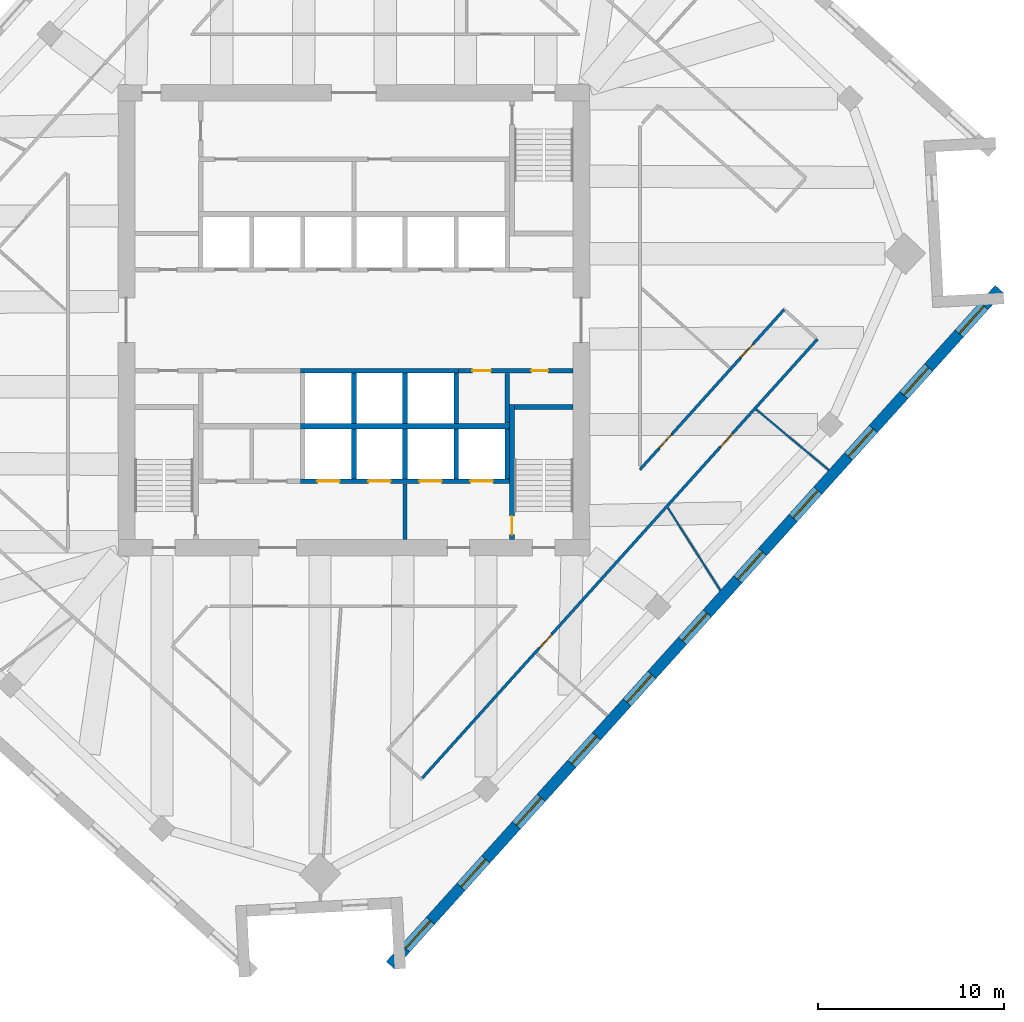
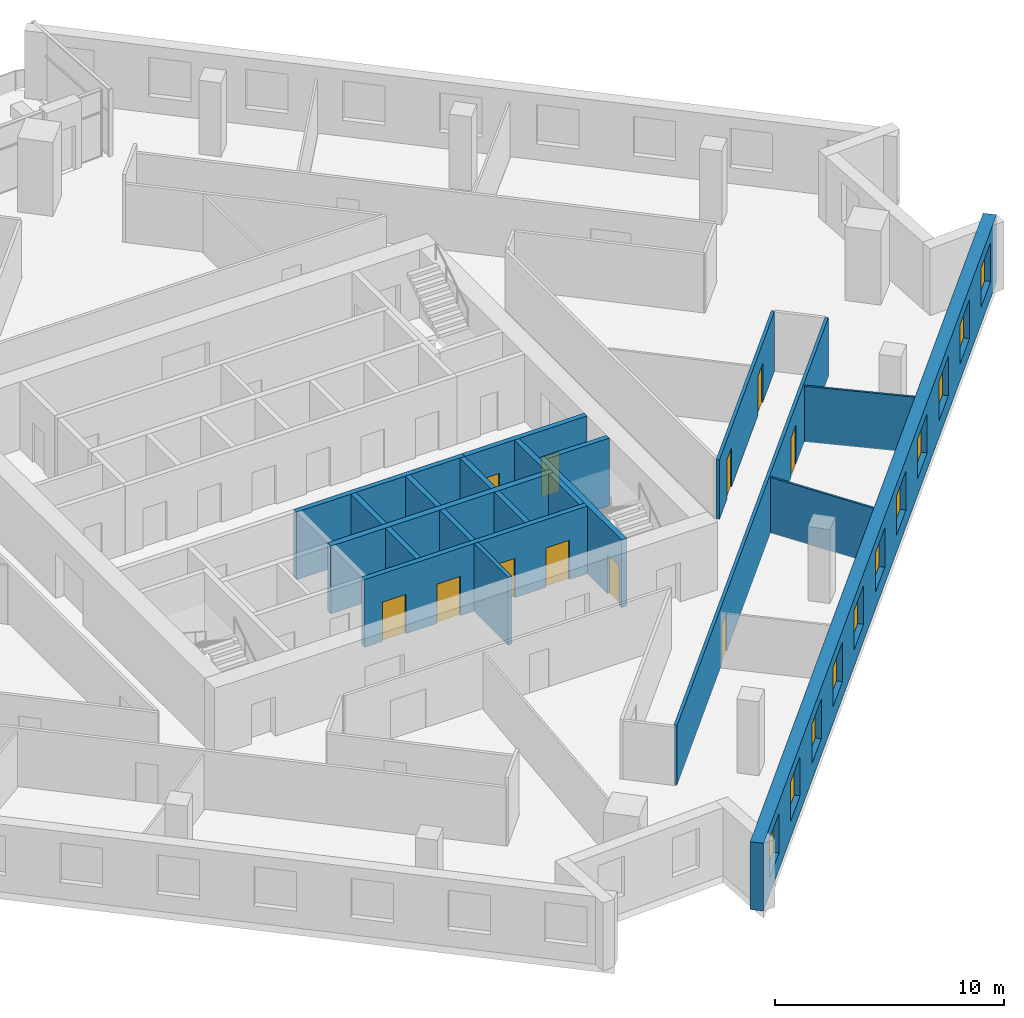
# One storey, part 7 of 12: 20 walls, 11 doors, 11 windows, 22 openings.
"""IFC4 building model written with IfcOpenShell, lengths in metres."""

from ifc_helpers import new_model, si_unit, direction, frame, frame_2d, origin, place, context, subcontext, project, spatial, rectangle, extrude, material, layer, layer_set, type_object, element, fill, save


model = new_model("IFC4")

# Units and contexts
model_context = context("Model", 3, precision=1e-05, world=origin(), true_north=direction((0.0, 1.0)))
body_context = subcontext(model_context, "Body", "Model", "MODEL_VIEW")
ifc_project = project(units=[si_unit("LENGTHUNIT", "METRE"), si_unit("AREAUNIT", "SQUARE_METRE"), si_unit("VOLUMEUNIT", "CUBIC_METRE"), si_unit("PLANEANGLEUNIT", "RADIAN"), si_unit("MASSUNIT", "GRAM", prefix="KILO")], contexts=[model_context])

# Site, building, storey
site_placement = place(None, origin())
site = spatial("IfcSite", under=ifc_project, at=site_placement, CompositionType="ELEMENT")
building_placement = place(site_placement, origin())
building = spatial("IfcBuilding", under=site, at=building_placement, Name="Dilmun Exchange Tower", CompositionType="ELEMENT")
storey_placement = place(building_placement, frame((0.0, 0.0, 221.300048828125)))
storey = spatial("IfcBuildingStorey", under=building, at=storey_placement, Name="L52", CompositionType="ELEMENT", Elevation=221.300048828125)

# Walls
ifc_material_1 = material(Name="Concrete C40/50", Category="concrete")
ifc_layer_1 = layer(ifc_material_1, 0.199951171875)
ifc_layer_set_1 = layer_set([ifc_layer_1], Name="Concrete C40/50")
wall_type_1 = type_object("IfcWallType", Name="Core partition wall 200", PredefinedType="PARTITIONING", material=ifc_layer_set_1)
wall_1_placement = place(storey_placement, frame((2.75, -11.794921875, 0.0), z_axis=(0.0, 0.0, 1.0), x_axis=(0.0, 1.0, 0.0)))
element("IfcWall", 1, at=wall_1_placement, inside=storey, type_object=wall_type_1, Name="L52 core partition wall 01", PredefinedType="PARTITIONING", context=body_context, shape_type="SweptSolid", body=[
    extrude(rectangle(XDim=2.989990234375, YDim=0.199951171875, at=frame_2d((1.4951171875, 0.0))), origin(), (0.0, 0.0, 1.0), 3.619873046875),
])
ifc_layer_2 = layer(ifc_material_1, 0.25)
ifc_layer_set_2 = layer_set([ifc_layer_2], Name="Concrete C40/50")
wall_type_2 = type_object("IfcWallType", Name="Core partition wall 250", PredefinedType="PARTITIONING", material=ifc_layer_set_2)
wall_2_placement = place(storey_placement, frame((8.25, -5.544921875, 0.0), z_axis=(0.0, 0.0, 1.0), x_axis=(0.0, 1.0, 0.0)))
element("IfcWall", 2, at=wall_2_placement, inside=storey, type_object=wall_type_2, Name="L52 core partition wall 07", PredefinedType="PARTITIONING", context=body_context, shape_type="SweptSolid", body=[
    extrude(rectangle(XDim=2.68994140625, YDim=0.25, at=frame_2d((1.344970703125, 0.0))), origin(), (0.0, 0.0, 1.0), 3.619873046875),
])

# Wall, openings, doors
wall_3_placement = place(storey_placement, frame((5.6298828125, -2.72509765625, 0.0), z_axis=(0.0, 0.0, 1.0), x_axis=(1.0, 0.0, 0.0)))
wall_3 = element("IfcWall", 3, at=wall_3_placement, inside=storey, type_object=wall_type_2, Name="L52 core partition wall 09", PredefinedType="PARTITIONING", context=body_context, shape_type="SweptSolid", body=[
    extrude(rectangle(XDim=6.1650390625, YDim=0.25, at=frame_2d((3.08251953125, 0.0))), origin(), (0.0, 0.0, 1.0), 3.619873046875),
])
opening_1_placement = place(wall_3_placement, frame((0.7451171875, 0.0, 0.0)))
opening_1 = element("IfcOpeningElement", 4, at=opening_1_placement, cuts=wall_3, Name="Opening CD4", PredefinedType="OPENING", context=body_context, shape_type="SweptSolid", body=[
    extrude(rectangle(XDim=1.0, YDim=2.10009765625, at=frame_2d((0.5, 1.050048828125))), frame((0.0, 0.135009765625, 0.0), z_axis=(0.0, -1.0, 0.0), x_axis=(1.0, 0.0, 0.0)), (0.0, 0.0, 1.0), 0.27001953125),
])
opening_2_placement = place(wall_3_placement, frame((3.919921875, 0.0, 0.0)))
opening_2 = element("IfcOpeningElement", 5, at=opening_2_placement, cuts=wall_3, Name="Opening CD6", PredefinedType="OPENING", context=body_context, shape_type="SweptSolid", body=[
    extrude(rectangle(XDim=0.89990234375, YDim=2.10009765625, at=frame_2d((0.449951171875, 1.050048828125))), frame((0.0, 0.135009765625, 0.0), z_axis=(0.0, -1.0, 0.0), x_axis=(1.0, 0.0, 0.0)), (0.0, 0.0, 1.0), 0.27001953125),
])
ifc_material_2 = material(Name="Fire-rated steel door set", Category="steel")
door_type_1 = type_object("IfcDoorType", Name="Core room door 1000x2100", OperationType="SINGLE_SWING_LEFT", PredefinedType="DOOR", material=ifc_material_2)
door_1_placement = place(opening_1_placement, origin())
door_1 = element("IfcDoor", 6, at=door_1_placement, inside=storey, type_object=door_type_1, Name="L52 door Cleaners' store", OperationType="SINGLE_SWING_LEFT", OverallHeight=2.10009765625, OverallWidth=1.0, PredefinedType="DOOR", context=body_context, shape_type="SweptSolid", body=[
    extrude(rectangle(XDim=1.0, YDim=2.10009765625, at=frame_2d((0.5, 1.050048828125))), frame((0.0, 0.02490234375, 0.0), z_axis=(0.0, -1.0, 0.0), x_axis=(1.0, 0.0, 0.0)), (0.0, 0.0, 1.0), 0.050048828125),
])
fill(opening_1, door_1)
door_type_2 = type_object("IfcDoorType", Name="Core room door 900x2100", OperationType="SINGLE_SWING_LEFT", PredefinedType="DOOR", material=ifc_material_2)
door_2_placement = place(opening_2_placement, origin())
door_2 = element("IfcDoor", 7, at=door_2_placement, inside=storey, type_object=door_type_2, Name="L52 door Comms riser", OperationType="SINGLE_SWING_LEFT", OverallHeight=2.10009765625, OverallWidth=0.89990234375, PredefinedType="DOOR", context=body_context, shape_type="SweptSolid", body=[
    extrude(rectangle(XDim=0.89990234375, YDim=2.10009765625, at=frame_2d((0.449951171875, 1.050048828125))), frame((0.0, 0.02490234375, 0.0), z_axis=(0.0, -1.0, 0.0), x_axis=(1.0, 0.0, 0.0)), (0.0, 0.0, 1.0), 0.050048828125),
])
fill(opening_2, door_2)

ifc_material_3 = material(Name="Corridor wall 150")
ifc_layer_3 = layer(ifc_material_3, 0.14990234375)
ifc_layer_set_3 = layer_set([ifc_layer_3], Name="Corridor wall 150")
wall_type_3 = type_object("IfcWallType", Name="Corridor wall 150", PredefinedType="PARTITIONING", material=ifc_layer_set_3)
wall_4_placement = place(storey_placement, frame((3.67626953125, -24.6533203125, 0.0), z_axis=(0.0, 0.0, 1.0), x_axis=(0.669124220942, 0.743150574882, 0.0)))
wall_4 = element("IfcWall", 8, at=wall_4_placement, inside=storey, type_object=wall_type_3, Name="Corridor wall", PredefinedType="PARTITIONING", context=body_context, shape_type="SweptSolid", body=[
    extrude(rectangle(XDim=31.796142578125, YDim=0.14990234375, at=frame_2d((15.89794921875, 0.0))), origin(), (0.0, 0.0, 1.0), 3.169921875),
])
opening_3_placement = place(wall_4_placement, frame((9.410400390625, 0.0, 0.0)))
opening_3 = element("IfcOpeningElement", 9, at=opening_3_placement, cuts=wall_4, Name="Opening TF51-D13", PredefinedType="OPENING", context=body_context, shape_type="SweptSolid", body=[
    extrude(rectangle(XDim=1.0, YDim=2.10009765625, at=frame_2d((0.5, 1.050048828125))), frame((0.0, 0.0849609375, 0.0), z_axis=(0.0, -1.0, 0.0), x_axis=(1.0, 0.0, 0.0)), (0.0, 0.0, 1.0), 0.169921875),
])
opening_4_placement = place(wall_4_placement, frame((23.9814453125, 0.0, 0.0)))
opening_4 = element("IfcOpeningElement", 10, at=opening_4_placement, cuts=wall_4, Name="Opening TF51-D16", PredefinedType="OPENING", context=body_context, shape_type="SweptSolid", body=[
    extrude(rectangle(XDim=1.0, YDim=2.10009765625, at=frame_2d((0.5, 1.050048828125))), frame((0.0, 0.0849609375, 0.0), z_axis=(0.0, -1.0, 0.0), x_axis=(1.0, 0.0, 0.0)), (0.0, 0.0, 1.0), 0.169921875),
])
ifc_material_4 = material(Name="Fire door 1000 x 2100")
door_type_3 = type_object("IfcDoorType", Name="Fire door 1000 x 2100", OperationType="NOTDEFINED", PredefinedType="DOOR", material=ifc_material_4)
door_3_placement = place(opening_3_placement, frame((1.0, 0.0, 0.0), z_axis=(0.0, 0.0, 1.0), x_axis=(-1.0, 0.0, 0.0)))
door_3 = element("IfcDoor", 11, at=door_3_placement, inside=storey, type_object=door_type_3, Name="Door TF51-D13", OperationType="SINGLE_SWING_LEFT", OverallHeight=2.10009765625, OverallWidth=1.0, PredefinedType="DOOR", context=body_context, shape_type="SweptSolid", body=[
    extrude(rectangle(XDim=1.0, YDim=2.10009765625, at=frame_2d((0.5, 1.050048828125))), frame((0.0, 0.02490234375, 0.0), z_axis=(0.0, -1.0, 0.0), x_axis=(1.0, 0.0, 0.0)), (0.0, 0.0, 1.0), 0.050048828125),
])
fill(opening_3, door_3)
door_4_placement = place(opening_4_placement, frame((1.0, 0.0, 0.0), z_axis=(0.0, 0.0, 1.0), x_axis=(-1.0, 0.0, 0.0)))
door_4 = element("IfcDoor", 12, at=door_4_placement, inside=storey, type_object=door_type_3, Name="Door TF51-D16", OperationType="SINGLE_SWING_LEFT", OverallHeight=2.10009765625, OverallWidth=1.0, PredefinedType="DOOR", context=body_context, shape_type="SweptSolid", body=[
    extrude(rectangle(XDim=1.0, YDim=2.10009765625, at=frame_2d((0.5, 1.050048828125))), frame((0.0, 0.02490234375, 0.0), z_axis=(0.0, -1.0, 0.0), x_axis=(1.0, 0.0, 0.0)), (0.0, 0.0, 1.0), 0.050048828125),
])
fill(opening_4, door_4)

wall_5_placement = place(storey_placement, frame((15.39990234375, -8.0458984375, 0.0), z_axis=(0.0, 0.0, 1.0), x_axis=(0.669150592904, 0.743126829025, 0.0)))
wall_5 = element("IfcWall", 13, at=wall_5_placement, inside=storey, type_object=wall_type_3, Name="Corridor wall", PredefinedType="PARTITIONING", context=body_context, shape_type="SweptSolid", body=[
    extrude(rectangle(XDim=11.6103515625, YDim=0.14990234375, at=frame_2d((5.80517578125, 0.0))), origin(), (0.0, 0.0, 1.0), 3.169921875),
])
opening_5_placement = place(wall_5_placement, frame((1.550048828125, 0.0, 0.0)))
opening_5 = element("IfcOpeningElement", 14, at=opening_5_placement, cuts=wall_5, Name="Opening TF51-D15", PredefinedType="OPENING", context=body_context, shape_type="SweptSolid", body=[
    extrude(rectangle(XDim=1.0, YDim=2.10009765625, at=frame_2d((0.5, 1.050048828125))), frame((0.0, 0.0849609375, 0.0), z_axis=(0.0, -1.0, 0.0), x_axis=(1.0, 0.0, 0.0)), (0.0, 0.0, 1.0), 0.169921875),
])
opening_6_placement = place(wall_5_placement, frame((8.11572265625, 0.0, 0.0)))
opening_6 = element("IfcOpeningElement", 15, at=opening_6_placement, cuts=wall_5, Name="Opening TF51-D18", PredefinedType="OPENING", context=body_context, shape_type="SweptSolid", body=[
    extrude(rectangle(XDim=1.0, YDim=2.10009765625, at=frame_2d((0.5, 1.050048828125))), frame((0.0, 0.0849609375, 0.0), z_axis=(0.0, -1.0, 0.0), x_axis=(1.0, 0.0, 0.0)), (0.0, 0.0, 1.0), 0.169921875),
])
door_5_placement = place(opening_5_placement, origin())
door_5 = element("IfcDoor", 16, at=door_5_placement, inside=storey, type_object=door_type_3, Name="Door TF51-D15", OperationType="SINGLE_SWING_LEFT", OverallHeight=2.10009765625, OverallWidth=1.0, PredefinedType="DOOR", context=body_context, shape_type="SweptSolid", body=[
    extrude(rectangle(XDim=1.0, YDim=2.10009765625, at=frame_2d((0.5, 1.050048828125))), frame((0.0, 0.02490234375, 0.0), z_axis=(0.0, -1.0, 0.0), x_axis=(1.0, 0.0, 0.0)), (0.0, 0.0, 1.0), 0.050048828125),
])
fill(opening_5, door_5)
door_6_placement = place(opening_6_placement, origin())
door_6 = element("IfcDoor", 17, at=door_6_placement, inside=storey, type_object=door_type_3, Name="Door TF51-D18", OperationType="SINGLE_SWING_LEFT", OverallHeight=2.10009765625, OverallWidth=1.0, PredefinedType="DOOR", context=body_context, shape_type="SweptSolid", body=[
    extrude(rectangle(XDim=1.0, YDim=2.10009765625, at=frame_2d((0.5, 1.050048828125))), frame((0.0, 0.02490234375, 0.0), z_axis=(0.0, -1.0, 0.0), x_axis=(1.0, 0.0, 0.0)), (0.0, 0.0, 1.0), 0.050048828125),
])
fill(opening_6, door_6)

# Walls
ifc_layer_4 = layer(ifc_material_1, 0.300048828125)
ifc_layer_set_4 = layer_set([ifc_layer_4], Name="Concrete C40/50")
wall_type_4 = type_object("IfcWallType", Name="Lift shaft shared wall 300", PredefinedType="SOLIDWALL", material=ifc_layer_set_4)
wall_6_placement = place(storey_placement, frame((-2.875, -5.699951171875, 0.0), z_axis=(0.0, 0.0, 1.0), x_axis=(1.0, 0.0, 0.0)))
element("IfcWall", 18, at=wall_6_placement, inside=storey, type_object=wall_type_4, Name="L52 lift shaft rear wall S", PredefinedType="SOLIDWALL", context=body_context, shape_type="SweptSolid", body=[
    extrude(rectangle(XDim=11.25, YDim=0.300048828125, at=frame_2d((5.625, 0.0))), origin(), (0.0, 0.0, 1.0), 3.619873046875),
])
ifc_layer_5 = layer(ifc_material_1, 0.25)
ifc_layer_set_5 = layer_set([ifc_layer_5], Name="Concrete C40/50")
wall_type_5 = type_object("IfcWallType", Name="Lift shaft wall 250", PredefinedType="SOLIDWALL", material=ifc_layer_set_5)
wall_7_placement = place(storey_placement, frame((-2.875, -2.72509765625, 0.0), z_axis=(0.0, 0.0, 1.0), x_axis=(1.0, 0.0, 0.0)))
element("IfcWall", 19, at=wall_7_placement, inside=storey, type_object=wall_type_5, Name="L52 lift shaft front wall S1", PredefinedType="SOLIDWALL", context=body_context, shape_type="SweptSolid", body=[
    extrude(rectangle(XDim=8.5, YDim=0.25, at=frame_2d((4.25, 0.0))), origin(), (0.0, 0.0, 1.0), 3.619873046875),
])
for number, where, z_axis, x_axis, name in (
    (20, (0.0, -5.550048828125, 0.0), (0.0, 0.0, 1.0), (0.0, 1.0, 0.0), "L52 lift shaft divider S13"),
    (21, (2.75, -5.550048828125, 0.0), (0.0, 0.0, 1.0), (0.0, 1.0, 0.0), "L52 lift shaft divider S14"),
    (22, (5.5, -5.550048828125, 0.0), (0.0, 0.0, 1.0), (0.0, 1.0, 0.0), "L52 lift shaft divider S15"),
):
    element("IfcWall", number, at=place(storey_placement, frame(where, z_axis=z_axis, x_axis=x_axis)), inside=storey, type_object=wall_type_5, Name=name, PredefinedType="SOLIDWALL", context=body_context, shape_type="SweptSolid", body=[
        extrude(rectangle(XDim=2.699951171875, YDim=0.25, at=frame_2d((1.35009765625, 0.0))), origin(), (0.0, 0.0, 1.0), 3.619873046875),
    ])

# Wall, openings, doors
wall_8_placement = place(storey_placement, frame((-2.875, -8.675048828125, 0.0), z_axis=(0.0, 0.0, 1.0), x_axis=(1.0, 0.0, 0.0)))
wall_8 = element("IfcWall", 23, at=wall_8_placement, inside=storey, type_object=wall_type_5, Name="L52 lift shaft front wall S2", PredefinedType="SOLIDWALL", context=body_context, shape_type="SweptSolid", body=[
    extrude(rectangle(XDim=11.25, YDim=0.25, at=frame_2d((5.625, 0.0))), origin(), (0.0, 0.0, 1.0), 3.619873046875),
])
opening_7_placement = place(wall_8_placement, frame((0.89990234375, 0.0, 0.0)))
opening_7 = element("IfcOpeningElement", 24, at=opening_7_placement, cuts=wall_8, Name="Opening LD", PredefinedType="OPENING", context=body_context, shape_type="SweptSolid", body=[
    extrude(rectangle(XDim=1.199951171875, YDim=2.10009765625, at=frame_2d((0.60009765625, 1.050048828125))), frame((0.0, 0.135009765625, 0.0), z_axis=(0.0, -1.0, 0.0), x_axis=(1.0, 0.0, 0.0)), (0.0, 0.0, 1.0), 0.27001953125),
])
opening_8_placement = place(wall_8_placement, frame((3.64990234375, 0.0, 0.0)))
opening_8 = element("IfcOpeningElement", 25, at=opening_8_placement, cuts=wall_8, Name="Opening LD", PredefinedType="OPENING", context=body_context, shape_type="SweptSolid", body=[
    extrude(rectangle(XDim=1.199951171875, YDim=2.10009765625, at=frame_2d((0.60009765625, 1.050048828125))), frame((0.0, 0.135009765625, 0.0), z_axis=(0.0, -1.0, 0.0), x_axis=(1.0, 0.0, 0.0)), (0.0, 0.0, 1.0), 0.27001953125),
])
opening_9_placement = place(wall_8_placement, frame((6.39990234375, 0.0, 0.0)))
opening_9 = element("IfcOpeningElement", 26, at=opening_9_placement, cuts=wall_8, Name="Opening LD", PredefinedType="OPENING", context=body_context, shape_type="SweptSolid", body=[
    extrude(rectangle(XDim=1.199951171875, YDim=2.10009765625, at=frame_2d((0.60009765625, 1.050048828125))), frame((0.0, 0.135009765625, 0.0), z_axis=(0.0, -1.0, 0.0), x_axis=(1.0, 0.0, 0.0)), (0.0, 0.0, 1.0), 0.27001953125),
])
opening_10_placement = place(wall_8_placement, frame((9.14990234375, 0.0, 0.0)))
opening_10 = element("IfcOpeningElement", 27, at=opening_10_placement, cuts=wall_8, Name="Opening LD", PredefinedType="OPENING", context=body_context, shape_type="SweptSolid", body=[
    extrude(rectangle(XDim=1.199951171875, YDim=2.10009765625, at=frame_2d((0.60009765625, 1.050048828125))), frame((0.0, 0.135009765625, 0.0), z_axis=(0.0, -1.0, 0.0), x_axis=(1.0, 0.0, 0.0)), (0.0, 0.0, 1.0), 0.27001953125),
])
door_type_4 = type_object("IfcDoorType", Name="Lift landing door 1200x2100", OperationType="DOUBLE_DOOR_SLIDING", PredefinedType="DOOR", material=ifc_material_2)
door_7_placement = place(opening_7_placement, origin())
door_7 = element("IfcDoor", 28, at=door_7_placement, inside=storey, type_object=door_type_4, Name="L52 landing door SV1", OperationType="DOUBLE_DOOR_SLIDING", OverallHeight=2.10009765625, OverallWidth=1.199951171875, PredefinedType="DOOR", context=body_context, shape_type="SweptSolid", body=[
    extrude(rectangle(XDim=1.199951171875, YDim=2.10009765625, at=frame_2d((0.60009765625, 1.050048828125))), frame((0.0, 0.02490234375, 0.0), z_axis=(0.0, -1.0, 0.0), x_axis=(1.0, 0.0, 0.0)), (0.0, 0.0, 1.0), 0.050048828125),
])
fill(opening_7, door_7)
door_8_placement = place(opening_8_placement, origin())
door_8 = element("IfcDoor", 29, at=door_8_placement, inside=storey, type_object=door_type_4, Name="L52 landing door SV2", OperationType="DOUBLE_DOOR_SLIDING", OverallHeight=2.10009765625, OverallWidth=1.199951171875, PredefinedType="DOOR", context=body_context, shape_type="SweptSolid", body=[
    extrude(rectangle(XDim=1.199951171875, YDim=2.10009765625, at=frame_2d((0.60009765625, 1.050048828125))), frame((0.0, 0.02490234375, 0.0), z_axis=(0.0, -1.0, 0.0), x_axis=(1.0, 0.0, 0.0)), (0.0, 0.0, 1.0), 0.050048828125),
])
fill(opening_8, door_8)
door_9_placement = place(opening_9_placement, origin())
door_9 = element("IfcDoor", 30, at=door_9_placement, inside=storey, type_object=door_type_4, Name="L52 landing door FF1", OperationType="DOUBLE_DOOR_SLIDING", OverallHeight=2.10009765625, OverallWidth=1.199951171875, PredefinedType="DOOR", context=body_context, shape_type="SweptSolid", body=[
    extrude(rectangle(XDim=1.199951171875, YDim=2.10009765625, at=frame_2d((0.60009765625, 1.050048828125))), frame((0.0, 0.02490234375, 0.0), z_axis=(0.0, -1.0, 0.0), x_axis=(1.0, 0.0, 0.0)), (0.0, 0.0, 1.0), 0.050048828125),
])
fill(opening_9, door_9)
door_10_placement = place(opening_10_placement, origin())
door_10 = element("IfcDoor", 31, at=door_10_placement, inside=storey, type_object=door_type_4, Name="L52 landing door FF2", OperationType="DOUBLE_DOOR_SLIDING", OverallHeight=2.10009765625, OverallWidth=1.199951171875, PredefinedType="DOOR", context=body_context, shape_type="SweptSolid", body=[
    extrude(rectangle(XDim=1.199951171875, YDim=2.10009765625, at=frame_2d((0.60009765625, 1.050048828125))), frame((0.0, 0.02490234375, 0.0), z_axis=(0.0, -1.0, 0.0), x_axis=(1.0, 0.0, 0.0)), (0.0, 0.0, 1.0), 0.050048828125),
])
fill(opening_10, door_10)

# Walls
for number, where, z_axis, x_axis, name in (
    (32, (0.0, -8.550048828125, 0.0), (0.0, 0.0, 1.0), (0.0, 1.0, 0.0), "L52 lift shaft divider S23"),
    (33, (2.75, -8.550048828125, 0.0), (0.0, 0.0, 1.0), (0.0, 1.0, 0.0), "L52 lift shaft divider S24"),
    (34, (5.5, -8.550048828125, 0.0), (0.0, 0.0, 1.0), (0.0, 1.0, 0.0), "L52 lift shaft divider S25"),
    (35, (8.25, -8.550048828125, 0.0), (0.0, 0.0, 1.0), (0.0, 1.0, 0.0), "L52 lift shaft divider S26"),
):
    element("IfcWall", number, at=place(storey_placement, frame(where, z_axis=z_axis, x_axis=x_axis)), inside=storey, type_object=wall_type_5, Name=name, PredefinedType="SOLIDWALL", context=body_context, shape_type="SweptSolid", body=[
        extrude(rectangle(XDim=2.699951171875, YDim=0.25, at=frame_2d((1.35009765625, 0.0))), origin(), (0.0, 0.0, 1.0), 3.619873046875),
    ])
ifc_material_5 = material(Name="Partition 100")
ifc_layer_6 = layer(ifc_material_5, 0.10009765625)
ifc_layer_set_6 = layer_set([ifc_layer_6], Name="Partition 100")
wall_type_6 = type_object("IfcWallType", Name="Partition 100", PredefinedType="PARTITIONING", material=ifc_layer_set_6)
wall_9_placement = place(storey_placement, frame((16.902099609375, -10.096435546875, 0.0), z_axis=(0.0, 0.0, 1.0), x_axis=(0.536270420215, -0.84404622883, 0.0)))
element("IfcWall", 36, at=wall_9_placement, inside=storey, type_object=wall_type_6, Name="Partition", PredefinedType="PARTITIONING", context=body_context, shape_type="SweptSolid", body=[
    extrude(rectangle(XDim=5.275146484375, YDim=0.10009765625, at=frame_2d((2.6376953125, 0.0))), origin(), (0.0, 0.0, 1.0), 2.969970703125),
])
wall_10_placement = place(storey_placement, frame((21.655029296875, -4.80029296875, 0.0), z_axis=(0.0, 0.0, 1.0), x_axis=(0.767785292275, -0.640707222501, 0.0)))
element("IfcWall", 37, at=wall_10_placement, inside=storey, type_object=wall_type_6, Name="Partition", PredefinedType="PARTITIONING", context=body_context, shape_type="SweptSolid", body=[
    extrude(rectangle(XDim=5.096923828125, YDim=0.10009765625, at=frame_2d((2.54833984375, 0.0))), origin(), (0.0, 0.0, 1.0), 2.969970703125),
])

# Wall, openings, windows
ifc_material_6 = material(Name="Precast concrete C50/60", Category="concrete")
ifc_layer_7 = layer(ifc_material_6, 0.60009765625)
ifc_layer_set_7 = layer_set([ifc_layer_7], Name="Precast concrete C50/60")
wall_type_7 = type_object("IfcWallType", Name="Precast stone-clad wall 600", PredefinedType="STANDARD", material=ifc_layer_set_7)
wall_11_placement = place(storey_placement, frame((1.9619140625, -34.734619140625, 0.0), z_axis=(0.0, 0.0, 1.0), x_axis=(0.669133181838, 0.743142506497, 0.0)))
wall_11 = element("IfcWall", 38, at=wall_11_placement, inside=storey, type_object=wall_type_7, Name="Facade wall L52-11", PredefinedType="STANDARD", context=body_context, shape_type="SweptSolid", body=[
    extrude(rectangle(XDim=49.0, YDim=0.60009765625, at=frame_2d((24.5, 0.0))), origin(), (0.0, 0.0, 1.0), 3.619873046875),
])
opening_11_placement = place(wall_11_placement, frame((1.227294921875, 0.0, 0.89990234375)))
opening_11 = element("IfcOpeningElement", 39, at=opening_11_placement, cuts=wall_11, Name="Opening W200-210", PredefinedType="OPENING", context=body_context, shape_type="SweptSolid", body=[
    extrude(rectangle(XDim=2.0, YDim=2.10009765625, at=frame_2d((1.0, 1.050048828125))), frame((0.0, 0.31005859375, 0.0), z_axis=(0.0, -1.0, 0.0), x_axis=(1.0, 0.0, 0.0)), (0.0, 0.0, 1.0), 0.6201171875),
])
opening_12_placement = place(wall_11_placement, frame((5.681884765625, 0.0, 0.89990234375)))
opening_12 = element("IfcOpeningElement", 40, at=opening_12_placement, cuts=wall_11, Name="Opening W200-210", PredefinedType="OPENING", context=body_context, shape_type="SweptSolid", body=[
    extrude(rectangle(XDim=2.0, YDim=2.10009765625, at=frame_2d((1.0, 1.050048828125))), frame((0.0, 0.31005859375, 0.0), z_axis=(0.0, -1.0, 0.0), x_axis=(1.0, 0.0, 0.0)), (0.0, 0.0, 1.0), 0.6201171875),
])
opening_13_placement = place(wall_11_placement, frame((10.136474609375, 0.0, 0.89990234375)))
opening_13 = element("IfcOpeningElement", 41, at=opening_13_placement, cuts=wall_11, Name="Opening W200-210", PredefinedType="OPENING", context=body_context, shape_type="SweptSolid", body=[
    extrude(rectangle(XDim=2.0, YDim=2.10009765625, at=frame_2d((1.0, 1.050048828125))), frame((0.0, 0.31005859375, 0.0), z_axis=(0.0, -1.0, 0.0), x_axis=(1.0, 0.0, 0.0)), (0.0, 0.0, 1.0), 0.6201171875),
])
opening_14_placement = place(wall_11_placement, frame((14.5908203125, 0.0, 0.89990234375)))
opening_14 = element("IfcOpeningElement", 42, at=opening_14_placement, cuts=wall_11, Name="Opening W200-210", PredefinedType="OPENING", context=body_context, shape_type="SweptSolid", body=[
    extrude(rectangle(XDim=2.0, YDim=2.10009765625, at=frame_2d((1.0, 1.050048828125))), frame((0.0, 0.31005859375, 0.0), z_axis=(0.0, -1.0, 0.0), x_axis=(1.0, 0.0, 0.0)), (0.0, 0.0, 1.0), 0.6201171875),
])
opening_15_placement = place(wall_11_placement, frame((19.04541015625, 0.0, 0.89990234375)))
opening_15 = element("IfcOpeningElement", 43, at=opening_15_placement, cuts=wall_11, Name="Opening W200-210", PredefinedType="OPENING", context=body_context, shape_type="SweptSolid", body=[
    extrude(rectangle(XDim=2.0, YDim=2.10009765625, at=frame_2d((1.0, 1.050048828125))), frame((0.0, 0.31005859375, 0.0), z_axis=(0.0, -1.0, 0.0), x_axis=(1.0, 0.0, 0.0)), (0.0, 0.0, 1.0), 0.6201171875),
])
opening_16_placement = place(wall_11_placement, frame((23.5, 0.0, 0.89990234375)))
opening_16 = element("IfcOpeningElement", 44, at=opening_16_placement, cuts=wall_11, Name="Opening W200-210", PredefinedType="OPENING", context=body_context, shape_type="SweptSolid", body=[
    extrude(rectangle(XDim=2.0, YDim=2.10009765625, at=frame_2d((1.0, 1.050048828125))), frame((0.0, 0.31005859375, 0.0), z_axis=(0.0, -1.0, 0.0), x_axis=(1.0, 0.0, 0.0)), (0.0, 0.0, 1.0), 0.6201171875),
])
opening_17_placement = place(wall_11_placement, frame((27.95458984375, 0.0, 0.89990234375)))
opening_17 = element("IfcOpeningElement", 45, at=opening_17_placement, cuts=wall_11, Name="Opening W200-210", PredefinedType="OPENING", context=body_context, shape_type="SweptSolid", body=[
    extrude(rectangle(XDim=2.0, YDim=2.10009765625, at=frame_2d((1.0, 1.050048828125))), frame((0.0, 0.31005859375, 0.0), z_axis=(0.0, -1.0, 0.0), x_axis=(1.0, 0.0, 0.0)), (0.0, 0.0, 1.0), 0.6201171875),
])
opening_18_placement = place(wall_11_placement, frame((32.4091796875, 0.0, 0.89990234375)))
opening_18 = element("IfcOpeningElement", 46, at=opening_18_placement, cuts=wall_11, Name="Opening W200-210", PredefinedType="OPENING", context=body_context, shape_type="SweptSolid", body=[
    extrude(rectangle(XDim=2.0, YDim=2.10009765625, at=frame_2d((1.0, 1.050048828125))), frame((0.0, 0.31005859375, 0.0), z_axis=(0.0, -1.0, 0.0), x_axis=(1.0, 0.0, 0.0)), (0.0, 0.0, 1.0), 0.6201171875),
])
opening_19_placement = place(wall_11_placement, frame((36.863525390625, 0.0, 0.89990234375)))
opening_19 = element("IfcOpeningElement", 47, at=opening_19_placement, cuts=wall_11, Name="Opening W200-210", PredefinedType="OPENING", context=body_context, shape_type="SweptSolid", body=[
    extrude(rectangle(XDim=2.0, YDim=2.10009765625, at=frame_2d((1.0, 1.050048828125))), frame((0.0, 0.31005859375, 0.0), z_axis=(0.0, -1.0, 0.0), x_axis=(1.0, 0.0, 0.0)), (0.0, 0.0, 1.0), 0.6201171875),
])
opening_20_placement = place(wall_11_placement, frame((41.318115234375, 0.0, 0.89990234375)))
opening_20 = element("IfcOpeningElement", 48, at=opening_20_placement, cuts=wall_11, Name="Opening W200-210", PredefinedType="OPENING", context=body_context, shape_type="SweptSolid", body=[
    extrude(rectangle(XDim=2.0, YDim=2.10009765625, at=frame_2d((1.0, 1.050048828125))), frame((0.0, 0.31005859375, 0.0), z_axis=(0.0, -1.0, 0.0), x_axis=(1.0, 0.0, 0.0)), (0.0, 0.0, 1.0), 0.6201171875),
])
opening_21_placement = place(wall_11_placement, frame((45.772705078125, 0.0, 0.89990234375)))
opening_21 = element("IfcOpeningElement", 49, at=opening_21_placement, cuts=wall_11, Name="Opening W200-210", PredefinedType="OPENING", context=body_context, shape_type="SweptSolid", body=[
    extrude(rectangle(XDim=2.0, YDim=2.10009765625, at=frame_2d((1.0, 1.050048828125))), frame((0.0, 0.31005859375, 0.0), z_axis=(0.0, -1.0, 0.0), x_axis=(1.0, 0.0, 0.0)), (0.0, 0.0, 1.0), 0.6201171875),
])
ifc_material_7 = material(Name="Clear low-emissivity glass in aluminium frame", Category="aluminium")
window_type = type_object("IfcWindowType", Name="Punched window 2000 x 2100", PartitioningType="DOUBLE_PANEL_VERTICAL", PredefinedType="WINDOW", material=ifc_material_7)
window_1_placement = place(opening_11_placement, origin())
window_1 = element("IfcWindow", 50, at=window_1_placement, inside=storey, type_object=window_type, Name="Window 12.1", OverallHeight=2.10009765625, OverallWidth=2.0, PartitioningType="SINGLE_PANEL", PredefinedType="WINDOW", context=body_context, shape_type="SweptSolid", body=[
    extrude(rectangle(XDim=2.0, YDim=2.10009765625, at=frame_2d((1.0, 1.050048828125))), frame((0.0, 0.030029296875, 0.0), z_axis=(0.0, -1.0, 0.0), x_axis=(1.0, 0.0, 0.0)), (0.0, 0.0, 1.0), 0.06005859375),
])
fill(opening_11, window_1)
window_2_placement = place(opening_12_placement, origin())
window_2 = element("IfcWindow", 51, at=window_2_placement, inside=storey, type_object=window_type, Name="Window 12.2", OverallHeight=2.10009765625, OverallWidth=2.0, PartitioningType="SINGLE_PANEL", PredefinedType="WINDOW", context=body_context, shape_type="SweptSolid", body=[
    extrude(rectangle(XDim=2.0, YDim=2.10009765625, at=frame_2d((1.0, 1.050048828125))), frame((0.0, 0.030029296875, 0.0), z_axis=(0.0, -1.0, 0.0), x_axis=(1.0, 0.0, 0.0)), (0.0, 0.0, 1.0), 0.06005859375),
])
fill(opening_12, window_2)
window_3_placement = place(opening_13_placement, origin())
window_3 = element("IfcWindow", 52, at=window_3_placement, inside=storey, type_object=window_type, Name="Window 12.3", OverallHeight=2.10009765625, OverallWidth=2.0, PartitioningType="SINGLE_PANEL", PredefinedType="WINDOW", context=body_context, shape_type="SweptSolid", body=[
    extrude(rectangle(XDim=2.0, YDim=2.10009765625, at=frame_2d((1.0, 1.050048828125))), frame((0.0, 0.030029296875, 0.0), z_axis=(0.0, -1.0, 0.0), x_axis=(1.0, 0.0, 0.0)), (0.0, 0.0, 1.0), 0.06005859375),
])
fill(opening_13, window_3)
window_4_placement = place(opening_14_placement, origin())
window_4 = element("IfcWindow", 53, at=window_4_placement, inside=storey, type_object=window_type, Name="Window 12.4", OverallHeight=2.10009765625, OverallWidth=2.0, PartitioningType="SINGLE_PANEL", PredefinedType="WINDOW", context=body_context, shape_type="SweptSolid", body=[
    extrude(rectangle(XDim=2.0, YDim=2.10009765625, at=frame_2d((1.0, 1.050048828125))), frame((0.0, 0.030029296875, 0.0), z_axis=(0.0, -1.0, 0.0), x_axis=(1.0, 0.0, 0.0)), (0.0, 0.0, 1.0), 0.06005859375),
])
fill(opening_14, window_4)
window_5_placement = place(opening_15_placement, origin())
window_5 = element("IfcWindow", 54, at=window_5_placement, inside=storey, type_object=window_type, Name="Window 12.5", OverallHeight=2.10009765625, OverallWidth=2.0, PartitioningType="SINGLE_PANEL", PredefinedType="WINDOW", context=body_context, shape_type="SweptSolid", body=[
    extrude(rectangle(XDim=2.0, YDim=2.10009765625, at=frame_2d((1.0, 1.050048828125))), frame((0.0, 0.030029296875, 0.0), z_axis=(0.0, -1.0, 0.0), x_axis=(1.0, 0.0, 0.0)), (0.0, 0.0, 1.0), 0.06005859375),
])
fill(opening_15, window_5)
window_6_placement = place(opening_16_placement, origin())
window_6 = element("IfcWindow", 55, at=window_6_placement, inside=storey, type_object=window_type, Name="Window 12.6", OverallHeight=2.10009765625, OverallWidth=2.0, PartitioningType="SINGLE_PANEL", PredefinedType="WINDOW", context=body_context, shape_type="SweptSolid", body=[
    extrude(rectangle(XDim=2.0, YDim=2.10009765625, at=frame_2d((1.0, 1.050048828125))), frame((0.0, 0.030029296875, 0.0), z_axis=(0.0, -1.0, 0.0), x_axis=(1.0, 0.0, 0.0)), (0.0, 0.0, 1.0), 0.06005859375),
])
fill(opening_16, window_6)
window_7_placement = place(opening_17_placement, origin())
window_7 = element("IfcWindow", 56, at=window_7_placement, inside=storey, type_object=window_type, Name="Window 12.7", OverallHeight=2.10009765625, OverallWidth=2.0, PartitioningType="SINGLE_PANEL", PredefinedType="WINDOW", context=body_context, shape_type="SweptSolid", body=[
    extrude(rectangle(XDim=2.0, YDim=2.10009765625, at=frame_2d((1.0, 1.050048828125))), frame((0.0, 0.030029296875, 0.0), z_axis=(0.0, -1.0, 0.0), x_axis=(1.0, 0.0, 0.0)), (0.0, 0.0, 1.0), 0.06005859375),
])
fill(opening_17, window_7)
window_8_placement = place(opening_18_placement, origin())
window_8 = element("IfcWindow", 57, at=window_8_placement, inside=storey, type_object=window_type, Name="Window 12.8", OverallHeight=2.10009765625, OverallWidth=2.0, PartitioningType="SINGLE_PANEL", PredefinedType="WINDOW", context=body_context, shape_type="SweptSolid", body=[
    extrude(rectangle(XDim=2.0, YDim=2.10009765625, at=frame_2d((1.0, 1.050048828125))), frame((0.0, 0.030029296875, 0.0), z_axis=(0.0, -1.0, 0.0), x_axis=(1.0, 0.0, 0.0)), (0.0, 0.0, 1.0), 0.06005859375),
])
fill(opening_18, window_8)
window_9_placement = place(opening_19_placement, origin())
window_9 = element("IfcWindow", 58, at=window_9_placement, inside=storey, type_object=window_type, Name="Window 12.9", OverallHeight=2.10009765625, OverallWidth=2.0, PartitioningType="SINGLE_PANEL", PredefinedType="WINDOW", context=body_context, shape_type="SweptSolid", body=[
    extrude(rectangle(XDim=2.0, YDim=2.10009765625, at=frame_2d((1.0, 1.050048828125))), frame((0.0, 0.030029296875, 0.0), z_axis=(0.0, -1.0, 0.0), x_axis=(1.0, 0.0, 0.0)), (0.0, 0.0, 1.0), 0.06005859375),
])
fill(opening_19, window_9)
window_10_placement = place(opening_20_placement, origin())
window_10 = element("IfcWindow", 59, at=window_10_placement, inside=storey, type_object=window_type, Name="Window 12.10", OverallHeight=2.10009765625, OverallWidth=2.0, PartitioningType="SINGLE_PANEL", PredefinedType="WINDOW", context=body_context, shape_type="SweptSolid", body=[
    extrude(rectangle(XDim=2.0, YDim=2.10009765625, at=frame_2d((1.0, 1.050048828125))), frame((0.0, 0.030029296875, 0.0), z_axis=(0.0, -1.0, 0.0), x_axis=(1.0, 0.0, 0.0)), (0.0, 0.0, 1.0), 0.06005859375),
])
fill(opening_20, window_10)
window_11_placement = place(opening_21_placement, origin())
window_11 = element("IfcWindow", 60, at=window_11_placement, inside=storey, type_object=window_type, Name="Window 12.11", OverallHeight=2.10009765625, OverallWidth=2.0, PartitioningType="SINGLE_PANEL", PredefinedType="WINDOW", context=body_context, shape_type="SweptSolid", body=[
    extrude(rectangle(XDim=2.0, YDim=2.10009765625, at=frame_2d((1.0, 1.050048828125))), frame((0.0, 0.030029296875, 0.0), z_axis=(0.0, -1.0, 0.0), x_axis=(1.0, 0.0, 0.0)), (0.0, 0.0, 1.0), 0.06005859375),
])
fill(opening_21, window_11)

# Wall
ifc_layer_8 = layer(ifc_material_1, 0.25)
ifc_layer_set_8 = layer_set([ifc_layer_8], Name="Concrete C40/50")
wall_type_8 = type_object("IfcWallType", Name="Stair end wall 250", PredefinedType="SOLIDWALL", material=ifc_layer_set_8)
wall_12_placement = place(storey_placement, frame((8.64990234375, -4.675048828125, 0.0), z_axis=(0.0, 0.0, 1.0), x_axis=(1.0, 0.0, 0.0)))
element("IfcWall", 61, at=wall_12_placement, inside=storey, type_object=wall_type_8, Name="L52 ST3 far wall", PredefinedType="SOLIDWALL", context=body_context, shape_type="SweptSolid", body=[
    extrude(rectangle(XDim=3.150146484375, YDim=0.25, at=frame_2d((1.5751953125, 0.0))), origin(), (0.0, 0.0, 1.0), 3.619873046875),
])

# Wall, opening, door
ifc_layer_9 = layer(ifc_material_1, 0.27490234375)
ifc_layer_set_9 = layer_set([ifc_layer_9], Name="Concrete C40/50")
wall_type_9 = type_object("IfcWallType", Name="Stair wall 275", PredefinedType="SOLIDWALL", material=ifc_layer_set_9)
wall_13_placement = place(storey_placement, frame((8.512451171875, -4.550048828125, 0.0), z_axis=(0.0, 0.0, 1.0), x_axis=(0.0, -1.0, 0.0)))
wall_13 = element("IfcWall", 62, at=wall_13_placement, inside=storey, type_object=wall_type_9, Name="L52 ST3 wall to lift block", PredefinedType="SOLIDWALL", context=body_context, shape_type="SweptSolid", body=[
    extrude(rectangle(XDim=7.25, YDim=0.27490234375, at=frame_2d((3.625, 0.0))), origin(), (0.0, 0.0, 1.0), 3.619873046875),
])
opening_22_placement = place(wall_13_placement, frame((6.0, 0.0, 0.0)))
opening_22 = element("IfcOpeningElement", 63, at=opening_22_placement, cuts=wall_13, Name="Opening CD4", PredefinedType="OPENING", context=body_context, shape_type="SweptSolid", body=[
    extrude(rectangle(XDim=1.0, YDim=2.10009765625, at=frame_2d((0.5, 1.050048828125))), frame((0.0, 0.1474609375, 0.0), z_axis=(0.0, -1.0, 0.0), x_axis=(1.0, 0.0, 0.0)), (0.0, 0.0, 1.0), 0.294921875),
])
door_11_placement = place(opening_22_placement, origin())
door_11 = element("IfcDoor", 64, at=door_11_placement, inside=storey, type_object=door_type_1, Name="L52 door ST3 from lobby", OperationType="SINGLE_SWING_LEFT", OverallHeight=2.10009765625, OverallWidth=1.0, PredefinedType="DOOR", context=body_context, shape_type="SweptSolid", body=[
    extrude(rectangle(XDim=1.0, YDim=2.10009765625, at=frame_2d((0.5, 1.050048828125))), frame((0.0, 0.02490234375, 0.0), z_axis=(0.0, -1.0, 0.0), x_axis=(1.0, 0.0, 0.0)), (0.0, 0.0, 1.0), 0.050048828125),
])
fill(opening_22, door_11)

save(model, "model.ifc")
